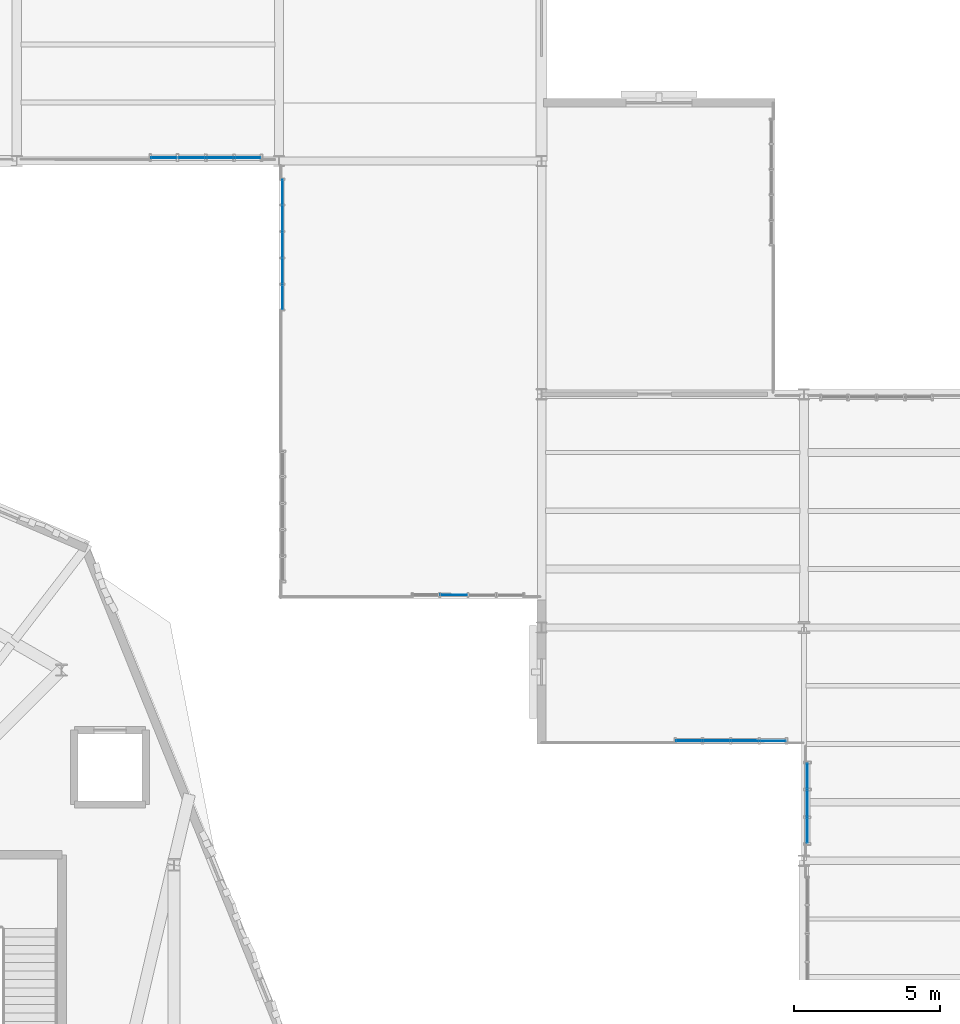
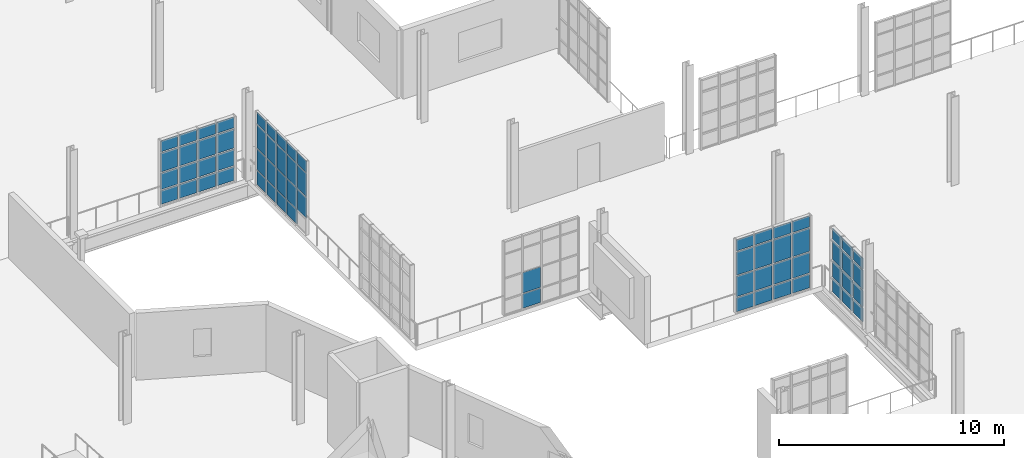
# One storey, part 85 of 122: 65 plates, 5 elements without a shape of their own.
"""IFC4 building model written with IfcOpenShell, lengths in metres."""

import ifcopenshell
import ifcopenshell.guid

model = None  # the IFC model being written
_history = None  # IfcOwnerHistory: only IFC2X3 demands one
_inside = {}  # id of a spatial element -> (the spatial element, [elements in it])
_under = {}  # id of a project, library or spatial element -> (it, [spatial elements below it])
_declared = {}  # id of a project -> (the project, [libraries it declares])
_typed = {}  # id of a type object -> (the type object, [elements of that type])
_made_of = {}  # id of a material, layer set ... -> (it, [elements and type objects made of it])


def new_model(schema):
    """Start an empty IFC model of exactly this schema.

    Asked for "IFC4X3", IfcOpenShell would pick the latest addendum, in which some entities
    have other attributes; the version numbers below select the first issue.
    IFC2X3 requires an IfcOwnerHistory on every rooted entity: one is made here for all.
    """
    global model, _history
    if schema == "IFC4X3":
        model = ifcopenshell.file(schema_version=(4, 3, 0, 0))
    else:
        model = ifcopenshell.file(schema=schema)
    _inside.clear()
    _under.clear()
    _declared.clear()
    _typed.clear()
    _made_of.clear()
    _history = None
    if model.schema == "IFC2X3":
        org = make("IfcOrganization", Name="unknown")
        user = make(
            "IfcPersonAndOrganization",
            ThePerson=make("IfcPerson", FamilyName="unknown"),
            TheOrganization=org,
        )
        app = make(
            "IfcApplication",
            ApplicationDeveloper=org,
            Version="unknown",
            ApplicationFullName="unknown",
            ApplicationIdentifier="unknown",
        )
        _history = make(
            "IfcOwnerHistory",
            OwningUser=user,
            OwningApplication=app,
            ChangeAction="ADDED",
            CreationDate=0,
        )
    return model


def make(cls, **values):
    """One entity of the class cls with the attributes given. An attribute that is None is left unset."""
    return model.create_entity(
        cls, **{name: value for name, value in values.items() if value is not None}
    )


def rooted(cls, **values):
    """An entity with a GlobalId (a new one), such as an element, a storey or a relation."""
    return make(cls, GlobalId=ifcopenshell.guid.new(), OwnerHistory=_history, **values)


def si_unit(unit_type, name, prefix=None):
    """IfcSIUnit, for example si_unit("LENGTHUNIT", "METRE", prefix="MILLI")."""
    return make("IfcSIUnit", UnitType=unit_type, Prefix=prefix, Name=name)


def assignment(units):
    """IfcUnitAssignment: the units of a project."""
    return None if units is None else make("IfcUnitAssignment", Units=units)


def point(xyz):
    """IfcCartesianPoint."""
    return None if xyz is None else make("IfcCartesianPoint", Coordinates=xyz)


def direction(xyz):
    """IfcDirection."""
    return None if xyz is None else make("IfcDirection", DirectionRatios=xyz)


def frame(location, z_axis=None, x_axis=None):
    """IfcAxis2Placement3D, a coordinate frame: its origin and axes. An axis left out is left unset."""
    return make(
        "IfcAxis2Placement3D",
        Location=point(location),
        Axis=direction(z_axis),
        RefDirection=direction(x_axis),
    )


def frame_2d(location, x_axis=None):
    """IfcAxis2Placement2D, a coordinate frame in the plane: its origin and x axis."""
    return make(
        "IfcAxis2Placement2D", Location=point(location), RefDirection=direction(x_axis)
    )


def origin():
    """The frame at (0, 0, 0) with its axes left unset."""
    return frame((0.0, 0.0, 0.0))


def origin_2d():
    """The frame at (0, 0) in the plane with its x axis left unset."""
    return frame_2d((0.0, 0.0))


def place(relative_to, where):
    """IfcLocalPlacement: puts the frame where relative to a parent placement (None: the world)."""
    return make(
        "IfcLocalPlacement", PlacementRelTo=relative_to, RelativePlacement=where
    )


def context(
    kind, dimensions, precision=None, world=None, true_north=None, identifier=None
):
    """IfcGeometricRepresentationContext, for example the 3D "Model" context."""
    return make(
        "IfcGeometricRepresentationContext",
        ContextIdentifier=identifier,
        ContextType=kind,
        CoordinateSpaceDimension=dimensions,
        Precision=precision,
        WorldCoordinateSystem=world,
        TrueNorth=true_north,
    )


def subcontext(parent, identifier, kind, view, scale=None):
    """IfcGeometricRepresentationSubContext, for example "Body" below "Model"."""
    return make(
        "IfcGeometricRepresentationSubContext",
        ContextIdentifier=identifier,
        ContextType=kind,
        ParentContext=parent,
        TargetScale=scale,
        TargetView=view,
    )


def project(units=None, contexts=None):
    """IfcProject with its units and contexts."""
    return rooted(
        "IfcProject",
        Name="project",
        RepresentationContexts=contexts,
        UnitsInContext=assignment(units),
    )


def spatial(cls, under=None, at=None, **own):
    """A site, building, storey or space (cls), placed at a placement, below another one or the project."""
    s = rooted(cls, ObjectPlacement=at, **own)
    if under is not None:
        _under.setdefault(under.id(), (under, []))[1].append(s)
    return s


def profile(cls, at=None, kind="AREA", **sizes):
    """A parametric profile (cls). Its sizes go by their IFC names, for example OverallWidth=200.0."""
    return make(cls, ProfileType=kind, Position=at, **sizes)


def rectangle(**sizes):
    """IfcRectangleProfileDef."""
    return profile("IfcRectangleProfileDef", **sizes)


def extrude(swept, where, along, depth):
    """IfcExtrudedAreaSolid: the profile swept, set in the frame where, extruded along a direction by depth."""
    return make(
        "IfcExtrudedAreaSolid",
        SweptArea=swept,
        Position=where,
        ExtrudedDirection=direction(along),
        Depth=depth,
    )


def shape(context_of_items, identifier, shape_type, items):
    """IfcShapeRepresentation: the items that make up one representation, for example the "Body"."""
    return make(
        "IfcShapeRepresentation",
        ContextOfItems=context_of_items,
        RepresentationIdentifier=identifier,
        RepresentationType=shape_type,
        Items=items,
    )


def material(Name=None, Category=None):
    """IfcMaterial."""
    return make("IfcMaterial", Name=Name, Category=Category)


def layer(
    of_material, thickness, ventilated=None, Name=None, Category=None, Priority=None
):
    """IfcMaterialLayer: one layer of a wall or slab, of a material (None: an air gap)."""
    return make(
        "IfcMaterialLayer",
        Material=of_material,
        LayerThickness=thickness,
        IsVentilated=ventilated,
        Name=Name,
        Category=Category,
        Priority=Priority,
    )


def layer_set(layers, Name=None):
    """IfcMaterialLayerSet."""
    return make("IfcMaterialLayerSet", MaterialLayers=layers, LayerSetName=Name)


def made_of(thing, what):
    """Note that an element or type object is made of a material, layer set ...; save() writes the relation."""
    if what is not None:
        _made_of.setdefault(what.id(), (what, []))[1].append(thing)
    return thing


def type_object(cls, material=None, **own):
    """A type object (cls), such as IfcWallType, which elements share."""
    return made_of(rooted(cls, **own), material)


def element(
    cls,
    number,
    at=None,
    inside=None,
    cuts=None,
    type_object=None,
    material=None,
    context=None,
    identifier="Body",
    shape_type=None,
    held_by="IfcProductDefinitionShape",
    body=None,
    shapes=None,
    **own,
):
    """One element of the class cls, such as IfcWall. Its Tag is "e" and its number.

    at: its placement. inside: the storey or other place that contains it. cuts: it is an
    opening in that element (IfcRelVoidsElement). A single representation is given by context,
    identifier, shape_type and body (its items); several are given by shapes. held_by: the class
    of the entity that holds the representations. save() writes the other relations.
    """
    e = rooted(cls, Tag="e%d" % number, ObjectPlacement=at, **own)
    if body is not None:
        shapes = [shape(context, identifier, shape_type, body)]
    if shapes is not None:
        e.Representation = make(held_by, Representations=shapes)
    if inside is not None:
        _inside.setdefault(inside.id(), (inside, []))[1].append(e)
    if cuts is not None:
        rooted(
            "IfcRelVoidsElement", RelatingBuildingElement=cuts, RelatedOpeningElement=e
        )
    if type_object is not None:
        _typed.setdefault(type_object.id(), (type_object, []))[1].append(e)
    return made_of(e, material)


def aggregate(whole, parts):
    """IfcRelAggregates: a whole, such as a stair, and the parts it consists of."""
    return rooted("IfcRelAggregates", RelatingObject=whole, RelatedObjects=parts)


def save(model, path):
    """Write the relations noted so far, then the file.

    IfcRelAggregates (storeys below a building ...), IfcRelContainedInSpatialStructure (elements
    in a storey), IfcRelDefinesByType, IfcRelAssociatesMaterial and IfcRelDeclares: one each for
    every whole, place, type object, material and project.
    """
    for whole, parts in _under.values():
        aggregate(whole, parts)
    for where, things in _inside.values():
        rooted(
            "IfcRelContainedInSpatialStructure",
            RelatedElements=things,
            RelatingStructure=where,
        )
    for kind, things in _typed.values():
        rooted("IfcRelDefinesByType", RelatedObjects=things, RelatingType=kind)
    for what, things in _made_of.values():
        rooted("IfcRelAssociatesMaterial", RelatedObjects=things, RelatingMaterial=what)
    for by, libraries in _declared.values():
        rooted("IfcRelDeclares", RelatingContext=by, RelatedDefinitions=libraries)
    model.write(path)


model = new_model("IFC4")

# Units and contexts
model_context = context("Model", 3, precision=1e-05, world=origin(), true_north=direction((0.0, 1.0)))
body_context = subcontext(model_context, "Body", "Model", "MODEL_VIEW")
ifc_project = project(units=[si_unit("LENGTHUNIT", "METRE"), si_unit("AREAUNIT", "SQUARE_METRE"), si_unit("VOLUMEUNIT", "CUBIC_METRE"), si_unit("PLANEANGLEUNIT", "RADIAN"), si_unit("MASSUNIT", "GRAM", prefix="KILO"), si_unit("THERMODYNAMICTEMPERATUREUNIT", "KELVIN"), si_unit("POWERUNIT", "WATT")], contexts=[model_context])

# Site, building, storey
site_placement = place(None, origin())
site = spatial("IfcSite", under=ifc_project, at=site_placement, CompositionType="ELEMENT")
building_placement = place(site_placement, origin())
building = spatial("IfcBuilding", under=site, at=building_placement, Name="Zelmaris Science Centre", CompositionType="ELEMENT")
storey_placement = place(building_placement, frame((0.0, 0.0, 10.800048828125)))
storey = spatial("IfcBuildingStorey", under=building, at=storey_placement, Name="L02", CompositionType="ELEMENT", Elevation=10.800048828125)

# Curtain wall, plates
ifc_material_1 = material(Name="Anodised architectural aluminium 6063-T6", Category="aluminium")
ifc_layer_1 = layer(ifc_material_1, 0.18994140625, Name="Anodised architectural aluminium 6063-T6")
ifc_layer_set_1 = layer_set([ifc_layer_1], Name="Anodised architectural aluminium 6063-T6")
curtain_wall_type_1 = type_object("IfcCurtainWallType", Name="Curtain Wall CW-01", PredefinedType="USERDEFINED", material=ifc_layer_set_1)
curtain_wall_1_placement = place(storey_placement, origin())
curtain_wall_1 = element("IfcCurtainWall", 1, at=curtain_wall_1_placement, inside=storey, type_object=curtain_wall_type_1, Name="L02 Unitised curtain wall 265", ObjectType="GLAZED CURTAIN WALL", PredefinedType="USERDEFINED")
ifc_material_2 = material(Name="Laminated hurricane-rated low-E insulated glazing", Category="glass")
ifc_layer_2 = layer(ifc_material_2, 0.031982421875, Name="Laminated hurricane-rated low-E insulated glazing")
ifc_layer_set_2 = layer_set([ifc_layer_2], Name="Laminated hurricane-rated low-E insulated glazing")
plate_type_1 = type_object("IfcPlateType", Name="Curtain Glazing Panel CWP-1 32mm", PredefinedType="CURTAIN_PANEL", material=ifc_layer_set_2)
plate_1_placement = place(storey_placement, frame((117.116943359375, 41.03466796875, 0.05712890625), z_axis=(0.0, 0.0, 1.0), x_axis=(0.00101398549, 0.999999485917, 0.0)))
plate_1 = element("IfcPlate", 2, at=plate_1_placement, type_object=plate_type_1, Name="CW-01 panel 1.1", PredefinedType="CURTAIN_PANEL", context=body_context, shape_type="SweptSolid", body=[
    extrude(rectangle(XDim=0.84521484375, YDim=0.031982421875, at=origin_2d()), origin(), (0.0, 0.0, 1.0), 0.741943359375),
])
plate_2_placement = place(storey_placement, frame((117.116943359375, 41.03466796875, 0.870849609375), z_axis=(0.0, 0.0, 1.0), x_axis=(0.00101398549, 0.999999485917, 0.0)))
plate_2 = element("IfcPlate", 3, at=plate_2_placement, type_object=plate_type_1, Name="CW-01 panel 1.2", PredefinedType="CURTAIN_PANEL", context=body_context, shape_type="SweptSolid", body=[
    extrude(rectangle(XDim=0.84521484375, YDim=0.031982421875, at=origin_2d()), origin(), (0.0, 0.0, 1.0), 0.87451171875),
])
plate_3_placement = place(storey_placement, frame((117.116943359375, 41.03466796875, 1.8173828125), z_axis=(0.0, 0.0, 1.0), x_axis=(0.00101398549, 0.999999485917, 0.0)))
plate_3 = element("IfcPlate", 4, at=plate_3_placement, type_object=plate_type_1, Name="CW-01 panel 1.3", PredefinedType="CURTAIN_PANEL", context=body_context, shape_type="SweptSolid", body=[
    extrude(rectangle(XDim=0.84521484375, YDim=0.031982421875, at=origin_2d()), origin(), (0.0, 0.0, 1.0), 1.0244140625),
])
plate_4_placement = place(storey_placement, frame((117.116943359375, 41.03466796875, 2.9140625), z_axis=(0.0, 0.0, 1.0), x_axis=(0.00101398549, 0.999999485917, 0.0)))
plate_4 = element("IfcPlate", 5, at=plate_4_placement, type_object=plate_type_1, Name="CW-01 panel 1.4", PredefinedType="CURTAIN_PANEL", context=body_context, shape_type="SweptSolid", body=[
    extrude(rectangle(XDim=0.84521484375, YDim=0.031982421875, at=origin_2d()), origin(), (0.0, 0.0, 1.0), 0.592041015625),
])
plate_5_placement = place(storey_placement, frame((117.117919921875, 41.969970703125, 0.05712890625), z_axis=(0.0, 0.0, 1.0), x_axis=(0.00101398549, 0.999999485917, 0.0)))
plate_5 = element("IfcPlate", 6, at=plate_5_placement, type_object=plate_type_1, Name="CW-01 panel 2.1", PredefinedType="CURTAIN_PANEL", context=body_context, shape_type="SweptSolid", body=[
    extrude(rectangle(XDim=0.88134765625, YDim=0.031982421875, at=origin_2d()), origin(), (0.0, 0.0, 1.0), 0.741943359375),
])
plate_6_placement = place(storey_placement, frame((117.117919921875, 41.969970703125, 0.870849609375), z_axis=(0.0, 0.0, 1.0), x_axis=(0.00101398549, 0.999999485917, 0.0)))
plate_6 = element("IfcPlate", 7, at=plate_6_placement, type_object=plate_type_1, Name="CW-01 panel 2.2", PredefinedType="CURTAIN_PANEL", context=body_context, shape_type="SweptSolid", body=[
    extrude(rectangle(XDim=0.88134765625, YDim=0.031982421875, at=origin_2d()), origin(), (0.0, 0.0, 1.0), 0.87451171875),
])
plate_7_placement = place(storey_placement, frame((117.117919921875, 41.969970703125, 1.8173828125), z_axis=(0.0, 0.0, 1.0), x_axis=(0.00101398549, 0.999999485917, 0.0)))
plate_7 = element("IfcPlate", 8, at=plate_7_placement, type_object=plate_type_1, Name="CW-01 panel 2.3", PredefinedType="CURTAIN_PANEL", context=body_context, shape_type="SweptSolid", body=[
    extrude(rectangle(XDim=0.88134765625, YDim=0.031982421875, at=origin_2d()), origin(), (0.0, 0.0, 1.0), 1.0244140625),
])
plate_8_placement = place(storey_placement, frame((117.117919921875, 41.969970703125, 2.9140625), z_axis=(0.0, 0.0, 1.0), x_axis=(0.00101398549, 0.999999485917, 0.0)))
plate_8 = element("IfcPlate", 9, at=plate_8_placement, type_object=plate_type_1, Name="CW-01 panel 2.4", PredefinedType="CURTAIN_PANEL", context=body_context, shape_type="SweptSolid", body=[
    extrude(rectangle(XDim=0.88134765625, YDim=0.031982421875, at=origin_2d()), origin(), (0.0, 0.0, 1.0), 0.592041015625),
])
plate_9_placement = place(storey_placement, frame((117.118896484375, 42.9052734375, 0.05712890625), z_axis=(0.0, 0.0, 1.0), x_axis=(0.00101398549, 0.999999485917, 0.0)))
plate_9 = element("IfcPlate", 10, at=plate_9_placement, type_object=plate_type_1, Name="CW-01 panel 3.1", PredefinedType="CURTAIN_PANEL", context=body_context, shape_type="SweptSolid", body=[
    extrude(rectangle(XDim=0.84521484375, YDim=0.031982421875, at=origin_2d()), origin(), (0.0, 0.0, 1.0), 0.741943359375),
])
plate_10_placement = place(storey_placement, frame((117.118896484375, 42.9052734375, 0.870849609375), z_axis=(0.0, 0.0, 1.0), x_axis=(0.00101398549, 0.999999485917, 0.0)))
plate_10 = element("IfcPlate", 11, at=plate_10_placement, type_object=plate_type_1, Name="CW-01 panel 3.2", PredefinedType="CURTAIN_PANEL", context=body_context, shape_type="SweptSolid", body=[
    extrude(rectangle(XDim=0.84521484375, YDim=0.031982421875, at=origin_2d()), origin(), (0.0, 0.0, 1.0), 0.87451171875),
])
plate_11_placement = place(storey_placement, frame((117.118896484375, 42.9052734375, 1.8173828125), z_axis=(0.0, 0.0, 1.0), x_axis=(0.00101398549, 0.999999485917, 0.0)))
plate_11 = element("IfcPlate", 12, at=plate_11_placement, type_object=plate_type_1, Name="CW-01 panel 3.3", PredefinedType="CURTAIN_PANEL", context=body_context, shape_type="SweptSolid", body=[
    extrude(rectangle(XDim=0.84521484375, YDim=0.031982421875, at=origin_2d()), origin(), (0.0, 0.0, 1.0), 1.0244140625),
])
plate_12_placement = place(storey_placement, frame((117.118896484375, 42.9052734375, 2.9140625), z_axis=(0.0, 0.0, 1.0), x_axis=(0.00101398549, 0.999999485917, 0.0)))
plate_12 = element("IfcPlate", 13, at=plate_12_placement, type_object=plate_type_1, Name="CW-01 panel 3.4", PredefinedType="CURTAIN_PANEL", context=body_context, shape_type="SweptSolid", body=[
    extrude(rectangle(XDim=0.84521484375, YDim=0.031982421875, at=origin_2d()), origin(), (0.0, 0.0, 1.0), 0.592041015625),
])
aggregate(curtain_wall_1, [plate_1, plate_2, plate_3, plate_4, plate_5, plate_6, plate_7, plate_8, plate_9, plate_10, plate_11, plate_12])

curtain_wall_2_placement = place(storey_placement, origin())
curtain_wall_2 = element("IfcCurtainWall", 14, at=curtain_wall_2_placement, inside=storey, type_object=curtain_wall_type_1, Name="L02 Unitised curtain wall 273", ObjectType="GLAZED CURTAIN WALL", PredefinedType="USERDEFINED")
plate_13_placement = place(storey_placement, frame((97.9248046875, 64.113525390625, 0.05712890625), z_axis=(0.0, 0.0, 1.0), x_axis=(-0.999999824684, 0.000592142428, 0.0)))
plate_13 = element("IfcPlate", 15, at=plate_13_placement, type_object=plate_type_1, Name="CW-01 panel 1.1", PredefinedType="CURTAIN_PANEL", context=body_context, shape_type="SweptSolid", body=[
    extrude(rectangle(XDim=0.863037109375, YDim=0.031982421875, at=origin_2d()), origin(), (0.0, 0.0, 1.0), 0.741943359375),
])
plate_14_placement = place(storey_placement, frame((97.9248046875, 64.113525390625, 0.870849609375), z_axis=(0.0, 0.0, 1.0), x_axis=(-0.999999824684, 0.000592142428, 0.0)))
plate_14 = element("IfcPlate", 16, at=plate_14_placement, type_object=plate_type_1, Name="CW-01 panel 1.2", PredefinedType="CURTAIN_PANEL", context=body_context, shape_type="SweptSolid", body=[
    extrude(rectangle(XDim=0.863037109375, YDim=0.031982421875, at=origin_2d()), origin(), (0.0, 0.0, 1.0), 0.8720703125),
])
plate_15_placement = place(storey_placement, frame((97.9248046875, 64.113525390625, 1.81494140625), z_axis=(0.0, 0.0, 1.0), x_axis=(-0.999999824684, 0.000592142428, 0.0)))
plate_15 = element("IfcPlate", 17, at=plate_15_placement, type_object=plate_type_1, Name="CW-01 panel 1.3", PredefinedType="CURTAIN_PANEL", context=body_context, shape_type="SweptSolid", body=[
    extrude(rectangle(XDim=0.863037109375, YDim=0.031982421875, at=origin_2d()), origin(), (0.0, 0.0, 1.0), 1.02197265625),
])
plate_16_placement = place(storey_placement, frame((97.9248046875, 64.113525390625, 2.90869140625), z_axis=(0.0, 0.0, 1.0), x_axis=(-0.999999824684, 0.000592142428, 0.0)))
plate_16 = element("IfcPlate", 18, at=plate_16_placement, type_object=plate_type_1, Name="CW-01 panel 1.4", PredefinedType="CURTAIN_PANEL", context=body_context, shape_type="SweptSolid", body=[
    extrude(rectangle(XDim=0.863037109375, YDim=0.031982421875, at=origin_2d()), origin(), (0.0, 0.0, 1.0), 0.592041015625),
])
plate_17_placement = place(storey_placement, frame((96.971923828125, 64.114013671875, 0.05712890625), z_axis=(0.0, 0.0, 1.0), x_axis=(-0.999999824684, 0.000592142428, 0.0)))
plate_17 = element("IfcPlate", 19, at=plate_17_placement, type_object=plate_type_1, Name="CW-01 panel 2.1", PredefinedType="CURTAIN_PANEL", context=body_context, shape_type="SweptSolid", body=[
    extrude(rectangle(XDim=0.899169921875, YDim=0.031982421875, at=origin_2d()), origin(), (0.0, 0.0, 1.0), 0.741943359375),
])
plate_18_placement = place(storey_placement, frame((96.971923828125, 64.114013671875, 0.870849609375), z_axis=(0.0, 0.0, 1.0), x_axis=(-0.999999824684, 0.000592142428, 0.0)))
plate_18 = element("IfcPlate", 20, at=plate_18_placement, type_object=plate_type_1, Name="CW-01 panel 2.2", PredefinedType="CURTAIN_PANEL", context=body_context, shape_type="SweptSolid", body=[
    extrude(rectangle(XDim=0.899169921875, YDim=0.031982421875, at=origin_2d()), origin(), (0.0, 0.0, 1.0), 0.8720703125),
])
plate_19_placement = place(storey_placement, frame((96.971923828125, 64.114013671875, 1.81494140625), z_axis=(0.0, 0.0, 1.0), x_axis=(-0.999999824684, 0.000592142428, 0.0)))
plate_19 = element("IfcPlate", 21, at=plate_19_placement, type_object=plate_type_1, Name="CW-01 panel 2.3", PredefinedType="CURTAIN_PANEL", context=body_context, shape_type="SweptSolid", body=[
    extrude(rectangle(XDim=0.899169921875, YDim=0.031982421875, at=origin_2d()), origin(), (0.0, 0.0, 1.0), 1.02197265625),
])
plate_20_placement = place(storey_placement, frame((96.971923828125, 64.114013671875, 2.90869140625), z_axis=(0.0, 0.0, 1.0), x_axis=(-0.999999824684, 0.000592142428, 0.0)))
plate_20 = element("IfcPlate", 22, at=plate_20_placement, type_object=plate_type_1, Name="CW-01 panel 2.4", PredefinedType="CURTAIN_PANEL", context=body_context, shape_type="SweptSolid", body=[
    extrude(rectangle(XDim=0.899169921875, YDim=0.031982421875, at=origin_2d()), origin(), (0.0, 0.0, 1.0), 0.592041015625),
])
plate_21_placement = place(storey_placement, frame((96.000732421875, 64.11474609375, 0.05712890625), z_axis=(0.0, 0.0, 1.0), x_axis=(-0.999999824684, 0.000592142428, 0.0)))
plate_21 = element("IfcPlate", 23, at=plate_21_placement, type_object=plate_type_1, Name="CW-01 panel 3.1", PredefinedType="CURTAIN_PANEL", context=body_context, shape_type="SweptSolid", body=[
    extrude(rectangle(XDim=0.899169921875, YDim=0.031982421875, at=origin_2d()), origin(), (0.0, 0.0, 1.0), 0.741943359375),
])
plate_22_placement = place(storey_placement, frame((96.000732421875, 64.11474609375, 0.870849609375), z_axis=(0.0, 0.0, 1.0), x_axis=(-0.999999824684, 0.000592142428, 0.0)))
plate_22 = element("IfcPlate", 24, at=plate_22_placement, type_object=plate_type_1, Name="CW-01 panel 3.2", PredefinedType="CURTAIN_PANEL", context=body_context, shape_type="SweptSolid", body=[
    extrude(rectangle(XDim=0.899169921875, YDim=0.031982421875, at=origin_2d()), origin(), (0.0, 0.0, 1.0), 0.8720703125),
])
plate_23_placement = place(storey_placement, frame((96.000732421875, 64.11474609375, 1.81494140625), z_axis=(0.0, 0.0, 1.0), x_axis=(-0.999999824684, 0.000592142428, 0.0)))
plate_23 = element("IfcPlate", 25, at=plate_23_placement, type_object=plate_type_1, Name="CW-01 panel 3.3", PredefinedType="CURTAIN_PANEL", context=body_context, shape_type="SweptSolid", body=[
    extrude(rectangle(XDim=0.899169921875, YDim=0.031982421875, at=origin_2d()), origin(), (0.0, 0.0, 1.0), 1.02197265625),
])
plate_24_placement = place(storey_placement, frame((96.000732421875, 64.11474609375, 2.90869140625), z_axis=(0.0, 0.0, 1.0), x_axis=(-0.999999824684, 0.000592142428, 0.0)))
plate_24 = element("IfcPlate", 26, at=plate_24_placement, type_object=plate_type_1, Name="CW-01 panel 3.4", PredefinedType="CURTAIN_PANEL", context=body_context, shape_type="SweptSolid", body=[
    extrude(rectangle(XDim=0.899169921875, YDim=0.031982421875, at=origin_2d()), origin(), (0.0, 0.0, 1.0), 0.592041015625),
])
plate_25_placement = place(storey_placement, frame((95.047607421875, 64.115234375, 0.05712890625), z_axis=(0.0, 0.0, 1.0), x_axis=(-0.999999824684, 0.000592142428, 0.0)))
plate_25 = element("IfcPlate", 27, at=plate_25_placement, type_object=plate_type_1, Name="CW-01 panel 4.1", PredefinedType="CURTAIN_PANEL", context=body_context, shape_type="SweptSolid", body=[
    extrude(rectangle(XDim=0.863037109375, YDim=0.031982421875, at=origin_2d()), origin(), (0.0, 0.0, 1.0), 0.741943359375),
])
plate_26_placement = place(storey_placement, frame((95.047607421875, 64.115234375, 0.870849609375), z_axis=(0.0, 0.0, 1.0), x_axis=(-0.999999824684, 0.000592142428, 0.0)))
plate_26 = element("IfcPlate", 28, at=plate_26_placement, type_object=plate_type_1, Name="CW-01 panel 4.2", PredefinedType="CURTAIN_PANEL", context=body_context, shape_type="SweptSolid", body=[
    extrude(rectangle(XDim=0.863037109375, YDim=0.031982421875, at=origin_2d()), origin(), (0.0, 0.0, 1.0), 0.8720703125),
])
plate_27_placement = place(storey_placement, frame((95.047607421875, 64.115234375, 1.81494140625), z_axis=(0.0, 0.0, 1.0), x_axis=(-0.999999824684, 0.000592142428, 0.0)))
plate_27 = element("IfcPlate", 29, at=plate_27_placement, type_object=plate_type_1, Name="CW-01 panel 4.3", PredefinedType="CURTAIN_PANEL", context=body_context, shape_type="SweptSolid", body=[
    extrude(rectangle(XDim=0.863037109375, YDim=0.031982421875, at=origin_2d()), origin(), (0.0, 0.0, 1.0), 1.02197265625),
])
plate_28_placement = place(storey_placement, frame((95.047607421875, 64.115234375, 2.90869140625), z_axis=(0.0, 0.0, 1.0), x_axis=(-0.999999824684, 0.000592142428, 0.0)))
plate_28 = element("IfcPlate", 30, at=plate_28_placement, type_object=plate_type_1, Name="CW-01 panel 4.4", PredefinedType="CURTAIN_PANEL", context=body_context, shape_type="SweptSolid", body=[
    extrude(rectangle(XDim=0.863037109375, YDim=0.031982421875, at=origin_2d()), origin(), (0.0, 0.0, 1.0), 0.592041015625),
])
aggregate(curtain_wall_2, [plate_13, plate_14, plate_15, plate_16, plate_17, plate_18, plate_19, plate_20, plate_21, plate_22, plate_23, plate_24, plate_25, plate_26, plate_27, plate_28])

ifc_layer_3 = layer(ifc_material_1, 0.199951171875, Name="Anodised architectural aluminium 6063-T6")
ifc_layer_set_3 = layer_set([ifc_layer_3], Name="Anodised architectural aluminium 6063-T6")
curtain_wall_type_2 = type_object("IfcCurtainWallType", Name="Curtain Wall CW-02", PredefinedType="USERDEFINED", material=ifc_layer_set_3)
curtain_wall_3_placement = place(storey_placement, origin())
curtain_wall_3 = element("IfcCurtainWall", 31, at=curtain_wall_3_placement, inside=storey, type_object=curtain_wall_type_2, Name="L02 Unitised curtain wall 266", ObjectType="GLAZED CURTAIN WALL", PredefinedType="USERDEFINED")
ifc_layer_4 = layer(ifc_material_2, 0.028076171875, Name="Laminated hurricane-rated low-E insulated glazing")
ifc_layer_set_4 = layer_set([ifc_layer_4], Name="Laminated hurricane-rated low-E insulated glazing")
plate_type_2 = type_object("IfcPlateType", Name="Curtain Glazing Panel CWP-2 28mm", PredefinedType="CURTAIN_PANEL", material=ifc_layer_set_4)
plate_29_placement = place(storey_placement, frame((115.935546875, 44.10791015625, 0.052001953125), z_axis=(0.0, 0.0, 1.0), x_axis=(-0.999998849207, 0.001517097758, 0.0)))
plate_29 = element("IfcPlate", 32, at=plate_29_placement, type_object=plate_type_2, Name="CW-02 panel 1.1", PredefinedType="CURTAIN_PANEL", context=body_context, shape_type="SweptSolid", body=[
    extrude(rectangle(XDim=0.871826171875, YDim=0.028076171875, at=origin_2d()), origin(), (0.0, 0.0, 1.0), 0.74951171875),
])
plate_30_placement = place(storey_placement, frame((115.935546875, 44.10791015625, 0.868408203125), z_axis=(0.0, 0.0, 1.0), x_axis=(-0.999998849207, 0.001517097758, 0.0)))
plate_30 = element("IfcPlate", 33, at=plate_30_placement, type_object=plate_type_2, Name="CW-02 panel 1.2", PredefinedType="CURTAIN_PANEL", context=body_context, shape_type="SweptSolid", body=[
    extrude(rectangle(XDim=0.871826171875, YDim=0.028076171875, at=origin_2d()), origin(), (0.0, 0.0, 1.0), 1.1005859375),
])
plate_31_placement = place(storey_placement, frame((115.935546875, 44.10791015625, 2.035888671875), z_axis=(0.0, 0.0, 1.0), x_axis=(-0.999998849207, 0.001517097758, 0.0)))
plate_31 = element("IfcPlate", 34, at=plate_31_placement, type_object=plate_type_2, Name="CW-02 panel 1.3", PredefinedType="CURTAIN_PANEL", context=body_context, shape_type="SweptSolid", body=[
    extrude(rectangle(XDim=0.871826171875, YDim=0.028076171875, at=origin_2d()), origin(), (0.0, 0.0, 1.0), 1.25048828125),
])
plate_32_placement = place(storey_placement, frame((115.935546875, 44.10791015625, 3.353515625), z_axis=(0.0, 0.0, 1.0), x_axis=(-0.999998849207, 0.001517097758, 0.0)))
plate_32 = element("IfcPlate", 35, at=plate_32_placement, type_object=plate_type_2, Name="CW-02 panel 1.4", PredefinedType="CURTAIN_PANEL", context=body_context, shape_type="SweptSolid", body=[
    extrude(rectangle(XDim=0.871826171875, YDim=0.028076171875, at=origin_2d()), origin(), (0.0, 0.0, 1.0), 0.599609375),
])
plate_33_placement = place(storey_placement, frame((114.97998046875, 44.109375, 0.052001953125), z_axis=(0.0, 0.0, 1.0), x_axis=(-0.999998849207, 0.001517097758, 0.0)))
plate_33 = element("IfcPlate", 36, at=plate_33_placement, type_object=plate_type_2, Name="CW-02 panel 2.1", PredefinedType="CURTAIN_PANEL", context=body_context, shape_type="SweptSolid", body=[
    extrude(rectangle(XDim=0.9052734375, YDim=0.028076171875, at=origin_2d()), origin(), (0.0, 0.0, 1.0), 0.74951171875),
])
plate_34_placement = place(storey_placement, frame((114.97998046875, 44.109375, 0.868408203125), z_axis=(0.0, 0.0, 1.0), x_axis=(-0.999998849207, 0.001517097758, 0.0)))
plate_34 = element("IfcPlate", 37, at=plate_34_placement, type_object=plate_type_2, Name="CW-02 panel 2.2", PredefinedType="CURTAIN_PANEL", context=body_context, shape_type="SweptSolid", body=[
    extrude(rectangle(XDim=0.9052734375, YDim=0.028076171875, at=origin_2d()), origin(), (0.0, 0.0, 1.0), 1.1005859375),
])
plate_35_placement = place(storey_placement, frame((114.97998046875, 44.109375, 2.035888671875), z_axis=(0.0, 0.0, 1.0), x_axis=(-0.999998849207, 0.001517097758, 0.0)))
plate_35 = element("IfcPlate", 38, at=plate_35_placement, type_object=plate_type_2, Name="CW-02 panel 2.3", PredefinedType="CURTAIN_PANEL", context=body_context, shape_type="SweptSolid", body=[
    extrude(rectangle(XDim=0.9052734375, YDim=0.028076171875, at=origin_2d()), origin(), (0.0, 0.0, 1.0), 1.25048828125),
])
plate_36_placement = place(storey_placement, frame((114.97998046875, 44.109375, 3.353515625), z_axis=(0.0, 0.0, 1.0), x_axis=(-0.999998849207, 0.001517097758, 0.0)))
plate_36 = element("IfcPlate", 39, at=plate_36_placement, type_object=plate_type_2, Name="CW-02 panel 2.4", PredefinedType="CURTAIN_PANEL", context=body_context, shape_type="SweptSolid", body=[
    extrude(rectangle(XDim=0.9052734375, YDim=0.028076171875, at=origin_2d()), origin(), (0.0, 0.0, 1.0), 0.599609375),
])
plate_37_placement = place(storey_placement, frame((114.007568359375, 44.11083984375, 0.052001953125), z_axis=(0.0, 0.0, 1.0), x_axis=(-0.999998849207, 0.001517097758, 0.0)))
plate_37 = element("IfcPlate", 40, at=plate_37_placement, type_object=plate_type_2, Name="CW-02 panel 3.1", PredefinedType="CURTAIN_PANEL", context=body_context, shape_type="SweptSolid", body=[
    extrude(rectangle(XDim=0.9052734375, YDim=0.028076171875, at=origin_2d()), origin(), (0.0, 0.0, 1.0), 0.74951171875),
])
plate_38_placement = place(storey_placement, frame((114.007568359375, 44.11083984375, 0.868408203125), z_axis=(0.0, 0.0, 1.0), x_axis=(-0.999998849207, 0.001517097758, 0.0)))
plate_38 = element("IfcPlate", 41, at=plate_38_placement, type_object=plate_type_2, Name="CW-02 panel 3.2", PredefinedType="CURTAIN_PANEL", context=body_context, shape_type="SweptSolid", body=[
    extrude(rectangle(XDim=0.9052734375, YDim=0.028076171875, at=origin_2d()), origin(), (0.0, 0.0, 1.0), 1.1005859375),
])
plate_39_placement = place(storey_placement, frame((114.007568359375, 44.11083984375, 2.035888671875), z_axis=(0.0, 0.0, 1.0), x_axis=(-0.999998849207, 0.001517097758, 0.0)))
plate_39 = element("IfcPlate", 42, at=plate_39_placement, type_object=plate_type_2, Name="CW-02 panel 3.3", PredefinedType="CURTAIN_PANEL", context=body_context, shape_type="SweptSolid", body=[
    extrude(rectangle(XDim=0.9052734375, YDim=0.028076171875, at=origin_2d()), origin(), (0.0, 0.0, 1.0), 1.25048828125),
])
plate_40_placement = place(storey_placement, frame((114.007568359375, 44.11083984375, 3.353515625), z_axis=(0.0, 0.0, 1.0), x_axis=(-0.999998849207, 0.001517097758, 0.0)))
plate_40 = element("IfcPlate", 43, at=plate_40_placement, type_object=plate_type_2, Name="CW-02 panel 3.4", PredefinedType="CURTAIN_PANEL", context=body_context, shape_type="SweptSolid", body=[
    extrude(rectangle(XDim=0.9052734375, YDim=0.028076171875, at=origin_2d()), origin(), (0.0, 0.0, 1.0), 0.599609375),
])
plate_41_placement = place(storey_placement, frame((113.05224609375, 44.1123046875, 0.052001953125), z_axis=(0.0, 0.0, 1.0), x_axis=(-0.999998849207, 0.001517097758, 0.0)))
plate_41 = element("IfcPlate", 44, at=plate_41_placement, type_object=plate_type_2, Name="CW-02 panel 4.1", PredefinedType="CURTAIN_PANEL", context=body_context, shape_type="SweptSolid", body=[
    extrude(rectangle(XDim=0.871826171875, YDim=0.028076171875, at=origin_2d()), origin(), (0.0, 0.0, 1.0), 0.74951171875),
])
plate_42_placement = place(storey_placement, frame((113.05224609375, 44.1123046875, 0.868408203125), z_axis=(0.0, 0.0, 1.0), x_axis=(-0.999998849207, 0.001517097758, 0.0)))
plate_42 = element("IfcPlate", 45, at=plate_42_placement, type_object=plate_type_2, Name="CW-02 panel 4.2", PredefinedType="CURTAIN_PANEL", context=body_context, shape_type="SweptSolid", body=[
    extrude(rectangle(XDim=0.871826171875, YDim=0.028076171875, at=origin_2d()), origin(), (0.0, 0.0, 1.0), 1.1005859375),
])
plate_43_placement = place(storey_placement, frame((113.05224609375, 44.1123046875, 2.035888671875), z_axis=(0.0, 0.0, 1.0), x_axis=(-0.999998849207, 0.001517097758, 0.0)))
plate_43 = element("IfcPlate", 46, at=plate_43_placement, type_object=plate_type_2, Name="CW-02 panel 4.3", PredefinedType="CURTAIN_PANEL", context=body_context, shape_type="SweptSolid", body=[
    extrude(rectangle(XDim=0.871826171875, YDim=0.028076171875, at=origin_2d()), origin(), (0.0, 0.0, 1.0), 1.25048828125),
])
plate_44_placement = place(storey_placement, frame((113.05224609375, 44.1123046875, 3.353515625), z_axis=(0.0, 0.0, 1.0), x_axis=(-0.999998849207, 0.001517097758, 0.0)))
plate_44 = element("IfcPlate", 47, at=plate_44_placement, type_object=plate_type_2, Name="CW-02 panel 4.4", PredefinedType="CURTAIN_PANEL", context=body_context, shape_type="SweptSolid", body=[
    extrude(rectangle(XDim=0.871826171875, YDim=0.028076171875, at=origin_2d()), origin(), (0.0, 0.0, 1.0), 0.599609375),
])
aggregate(curtain_wall_3, [plate_29, plate_30, plate_31, plate_32, plate_33, plate_34, plate_35, plate_36, plate_37, plate_38, plate_39, plate_40, plate_41, plate_42, plate_43, plate_44])

ifc_layer_5 = layer(ifc_material_1, 0.219970703125, Name="Anodised architectural aluminium 6063-T6")
ifc_layer_set_5 = layer_set([ifc_layer_5], Name="Anodised architectural aluminium 6063-T6")
curtain_wall_type_3 = type_object("IfcCurtainWallType", Name="Curtain Wall CW-04", PredefinedType="USERDEFINED", material=ifc_layer_set_5)
curtain_wall_4_placement = place(storey_placement, origin())
curtain_wall_4 = element("IfcCurtainWall", 48, at=curtain_wall_4_placement, inside=storey, type_object=curtain_wall_type_3, Name="L02 Unitised curtain wall 268", ObjectType="GLAZED CURTAIN WALL", PredefinedType="USERDEFINED")
ifc_layer_6 = layer(ifc_material_2, 0.02392578125, Name="Laminated hurricane-rated low-E insulated glazing")
ifc_layer_set_6 = layer_set([ifc_layer_6], Name="Laminated hurricane-rated low-E insulated glazing")
plate_type_3 = type_object("IfcPlateType", Name="Curtain Glazing Panel CWP-4 24mm", PredefinedType="CURTAIN_PANEL", material=ifc_layer_set_6)
plate_45_placement = place(storey_placement, frame((104.9931640625, 49.118408203125, 0.036865234375), z_axis=(0.0, 0.0, 1.0), x_axis=(-0.999999959785, 0.00028360017, 0.0)))
plate_45 = element("IfcPlate", 49, at=plate_45_placement, type_object=plate_type_3, Name="CW-04 panel 3.1", PredefinedType="CURTAIN_PANEL", context=body_context, shape_type="SweptSolid", body=[
    extrude(rectangle(XDim=0.917724609375, YDim=0.02392578125, at=origin_2d()), origin(), (0.0, 0.0, 1.0), 0.77197265625),
])
plate_46_placement = place(storey_placement, frame((104.9931640625, 49.118408203125, 0.86083984375), z_axis=(0.0, 0.0, 1.0), x_axis=(-0.999999959785, 0.00028360017, 0.0)))
plate_46 = element("IfcPlate", 50, at=plate_46_placement, type_object=plate_type_3, Name="CW-04 panel 3.2", PredefinedType="CURTAIN_PANEL", context=body_context, shape_type="SweptSolid", body=[
    extrude(rectangle(XDim=0.917724609375, YDim=0.02392578125, at=origin_2d()), origin(), (0.0, 0.0, 1.0), 1.115478515625),
])
aggregate(curtain_wall_4, [plate_45, plate_46])

curtain_wall_5_placement = place(storey_placement, origin())
curtain_wall_5 = element("IfcCurtainWall", 51, at=curtain_wall_5_placement, inside=storey, type_object=curtain_wall_type_3, Name="L02 Unitised curtain wall 272", ObjectType="GLAZED CURTAIN WALL", PredefinedType="USERDEFINED")
plate_47_placement = place(storey_placement, frame((99.1201171875, 59.326904296875, 0.86083984375), z_axis=(0.0, 0.0, 1.0), x_axis=(0.0, 1.0, 0.0)))
plate_47 = element("IfcPlate", 52, at=plate_47_placement, type_object=plate_type_3, Name="CW-04 panel 1.2", PredefinedType="CURTAIN_PANEL", context=body_context, shape_type="SweptSolid", body=[
    extrude(rectangle(XDim=0.830078125, YDim=0.02392578125, at=origin_2d()), origin(), (0.0, 0.0, 1.0), 1.115478515625),
])
plate_48_placement = place(storey_placement, frame((99.1201171875, 59.326904296875, 2.0283203125), z_axis=(0.0, 0.0, 1.0), x_axis=(0.0, 1.0, 0.0)))
plate_48 = element("IfcPlate", 53, at=plate_48_placement, type_object=plate_type_3, Name="CW-04 panel 1.3", PredefinedType="CURTAIN_PANEL", context=body_context, shape_type="SweptSolid", body=[
    extrude(rectangle(XDim=0.830078125, YDim=0.02392578125, at=origin_2d()), origin(), (0.0, 0.0, 1.0), 1.265380859375),
])
plate_49_placement = place(storey_placement, frame((99.1201171875, 59.326904296875, 3.345947265625), z_axis=(0.0, 0.0, 1.0), x_axis=(0.0, 1.0, 0.0)))
plate_49 = element("IfcPlate", 54, at=plate_49_placement, type_object=plate_type_3, Name="CW-04 panel 1.4", PredefinedType="CURTAIN_PANEL", context=body_context, shape_type="SweptSolid", body=[
    extrude(rectangle(XDim=0.830078125, YDim=0.02392578125, at=origin_2d()), origin(), (0.0, 0.0, 1.0), 0.6220703125),
])
plate_50_placement = place(storey_placement, frame((99.1201171875, 60.221923828125, 0.036865234375), z_axis=(0.0, 0.0, 1.0), x_axis=(0.0, 1.0, 0.0)))
plate_50 = element("IfcPlate", 55, at=plate_50_placement, type_object=plate_type_3, Name="CW-04 panel 2.1", PredefinedType="CURTAIN_PANEL", context=body_context, shape_type="SweptSolid", body=[
    extrude(rectangle(XDim=0.85595703125, YDim=0.02392578125, at=origin_2d()), origin(), (0.0, 0.0, 1.0), 0.77197265625),
])
plate_51_placement = place(storey_placement, frame((99.1201171875, 60.221923828125, 0.86083984375), z_axis=(0.0, 0.0, 1.0), x_axis=(0.0, 1.0, 0.0)))
plate_51 = element("IfcPlate", 56, at=plate_51_placement, type_object=plate_type_3, Name="CW-04 panel 2.2", PredefinedType="CURTAIN_PANEL", context=body_context, shape_type="SweptSolid", body=[
    extrude(rectangle(XDim=0.85595703125, YDim=0.02392578125, at=origin_2d()), origin(), (0.0, 0.0, 1.0), 1.115478515625),
])
plate_52_placement = place(storey_placement, frame((99.1201171875, 60.221923828125, 2.0283203125), z_axis=(0.0, 0.0, 1.0), x_axis=(0.0, 1.0, 0.0)))
plate_52 = element("IfcPlate", 57, at=plate_52_placement, type_object=plate_type_3, Name="CW-04 panel 2.3", PredefinedType="CURTAIN_PANEL", context=body_context, shape_type="SweptSolid", body=[
    extrude(rectangle(XDim=0.85595703125, YDim=0.02392578125, at=origin_2d()), origin(), (0.0, 0.0, 1.0), 1.265380859375),
])
plate_53_placement = place(storey_placement, frame((99.1201171875, 60.221923828125, 3.345947265625), z_axis=(0.0, 0.0, 1.0), x_axis=(0.0, 1.0, 0.0)))
plate_53 = element("IfcPlate", 58, at=plate_53_placement, type_object=plate_type_3, Name="CW-04 panel 2.4", PredefinedType="CURTAIN_PANEL", context=body_context, shape_type="SweptSolid", body=[
    extrude(rectangle(XDim=0.85595703125, YDim=0.02392578125, at=origin_2d()), origin(), (0.0, 0.0, 1.0), 0.6220703125),
])
plate_54_placement = place(storey_placement, frame((99.1201171875, 61.1298828125, 0.036865234375), z_axis=(0.0, 0.0, 1.0), x_axis=(0.0, 1.0, 0.0)))
plate_54 = element("IfcPlate", 59, at=plate_54_placement, type_object=plate_type_3, Name="CW-04 panel 3.1", PredefinedType="CURTAIN_PANEL", context=body_context, shape_type="SweptSolid", body=[
    extrude(rectangle(XDim=0.85595703125, YDim=0.02392578125, at=origin_2d()), origin(), (0.0, 0.0, 1.0), 0.77197265625),
])
plate_55_placement = place(storey_placement, frame((99.1201171875, 61.1298828125, 0.86083984375), z_axis=(0.0, 0.0, 1.0), x_axis=(0.0, 1.0, 0.0)))
plate_55 = element("IfcPlate", 60, at=plate_55_placement, type_object=plate_type_3, Name="CW-04 panel 3.2", PredefinedType="CURTAIN_PANEL", context=body_context, shape_type="SweptSolid", body=[
    extrude(rectangle(XDim=0.85595703125, YDim=0.02392578125, at=origin_2d()), origin(), (0.0, 0.0, 1.0), 1.115478515625),
])
plate_56_placement = place(storey_placement, frame((99.1201171875, 61.1298828125, 2.0283203125), z_axis=(0.0, 0.0, 1.0), x_axis=(0.0, 1.0, 0.0)))
plate_56 = element("IfcPlate", 61, at=plate_56_placement, type_object=plate_type_3, Name="CW-04 panel 3.3", PredefinedType="CURTAIN_PANEL", context=body_context, shape_type="SweptSolid", body=[
    extrude(rectangle(XDim=0.85595703125, YDim=0.02392578125, at=origin_2d()), origin(), (0.0, 0.0, 1.0), 1.265380859375),
])
plate_57_placement = place(storey_placement, frame((99.1201171875, 61.1298828125, 3.345947265625), z_axis=(0.0, 0.0, 1.0), x_axis=(0.0, 1.0, 0.0)))
plate_57 = element("IfcPlate", 62, at=plate_57_placement, type_object=plate_type_3, Name="CW-04 panel 3.4", PredefinedType="CURTAIN_PANEL", context=body_context, shape_type="SweptSolid", body=[
    extrude(rectangle(XDim=0.85595703125, YDim=0.02392578125, at=origin_2d()), origin(), (0.0, 0.0, 1.0), 0.6220703125),
])
plate_58_placement = place(storey_placement, frame((99.1201171875, 62.0380859375, 0.036865234375), z_axis=(0.0, 0.0, 1.0), x_axis=(0.0, 1.0, 0.0)))
plate_58 = element("IfcPlate", 63, at=plate_58_placement, type_object=plate_type_3, Name="CW-04 panel 4.1", PredefinedType="CURTAIN_PANEL", context=body_context, shape_type="SweptSolid", body=[
    extrude(rectangle(XDim=0.85595703125, YDim=0.02392578125, at=origin_2d()), origin(), (0.0, 0.0, 1.0), 0.77197265625),
])
plate_59_placement = place(storey_placement, frame((99.1201171875, 62.0380859375, 0.86083984375), z_axis=(0.0, 0.0, 1.0), x_axis=(0.0, 1.0, 0.0)))
plate_59 = element("IfcPlate", 64, at=plate_59_placement, type_object=plate_type_3, Name="CW-04 panel 4.2", PredefinedType="CURTAIN_PANEL", context=body_context, shape_type="SweptSolid", body=[
    extrude(rectangle(XDim=0.85595703125, YDim=0.02392578125, at=origin_2d()), origin(), (0.0, 0.0, 1.0), 1.115478515625),
])
plate_60_placement = place(storey_placement, frame((99.1201171875, 62.0380859375, 2.0283203125), z_axis=(0.0, 0.0, 1.0), x_axis=(0.0, 1.0, 0.0)))
plate_60 = element("IfcPlate", 65, at=plate_60_placement, type_object=plate_type_3, Name="CW-04 panel 4.3", PredefinedType="CURTAIN_PANEL", context=body_context, shape_type="SweptSolid", body=[
    extrude(rectangle(XDim=0.85595703125, YDim=0.02392578125, at=origin_2d()), origin(), (0.0, 0.0, 1.0), 1.265380859375),
])
plate_61_placement = place(storey_placement, frame((99.1201171875, 62.0380859375, 3.345947265625), z_axis=(0.0, 0.0, 1.0), x_axis=(0.0, 1.0, 0.0)))
plate_61 = element("IfcPlate", 66, at=plate_61_placement, type_object=plate_type_3, Name="CW-04 panel 4.4", PredefinedType="CURTAIN_PANEL", context=body_context, shape_type="SweptSolid", body=[
    extrude(rectangle(XDim=0.85595703125, YDim=0.02392578125, at=origin_2d()), origin(), (0.0, 0.0, 1.0), 0.6220703125),
])
plate_62_placement = place(storey_placement, frame((99.1201171875, 62.93310546875, 0.036865234375), z_axis=(0.0, 0.0, 1.0), x_axis=(0.0, 1.0, 0.0)))
plate_62 = element("IfcPlate", 67, at=plate_62_placement, type_object=plate_type_3, Name="CW-04 panel 5.1", PredefinedType="CURTAIN_PANEL", context=body_context, shape_type="SweptSolid", body=[
    extrude(rectangle(XDim=0.830078125, YDim=0.02392578125, at=origin_2d()), origin(), (0.0, 0.0, 1.0), 0.77197265625),
])
plate_63_placement = place(storey_placement, frame((99.1201171875, 62.93310546875, 0.86083984375), z_axis=(0.0, 0.0, 1.0), x_axis=(0.0, 1.0, 0.0)))
plate_63 = element("IfcPlate", 68, at=plate_63_placement, type_object=plate_type_3, Name="CW-04 panel 5.2", PredefinedType="CURTAIN_PANEL", context=body_context, shape_type="SweptSolid", body=[
    extrude(rectangle(XDim=0.830078125, YDim=0.02392578125, at=origin_2d()), origin(), (0.0, 0.0, 1.0), 1.115478515625),
])
plate_64_placement = place(storey_placement, frame((99.1201171875, 62.93310546875, 2.0283203125), z_axis=(0.0, 0.0, 1.0), x_axis=(0.0, 1.0, 0.0)))
plate_64 = element("IfcPlate", 69, at=plate_64_placement, type_object=plate_type_3, Name="CW-04 panel 5.3", PredefinedType="CURTAIN_PANEL", context=body_context, shape_type="SweptSolid", body=[
    extrude(rectangle(XDim=0.830078125, YDim=0.02392578125, at=origin_2d()), origin(), (0.0, 0.0, 1.0), 1.265380859375),
])
plate_65_placement = place(storey_placement, frame((99.1201171875, 62.93310546875, 3.345947265625), z_axis=(0.0, 0.0, 1.0), x_axis=(0.0, 1.0, 0.0)))
plate_65 = element("IfcPlate", 70, at=plate_65_placement, type_object=plate_type_3, Name="CW-04 panel 5.4", PredefinedType="CURTAIN_PANEL", context=body_context, shape_type="SweptSolid", body=[
    extrude(rectangle(XDim=0.830078125, YDim=0.02392578125, at=origin_2d()), origin(), (0.0, 0.0, 1.0), 0.6220703125),
])
aggregate(curtain_wall_5, [plate_47, plate_48, plate_49, plate_50, plate_51, plate_52, plate_53, plate_54, plate_55, plate_56, plate_57, plate_58, plate_59, plate_60, plate_61, plate_62, plate_63, plate_64, plate_65])

save(model, "model.ifc")
